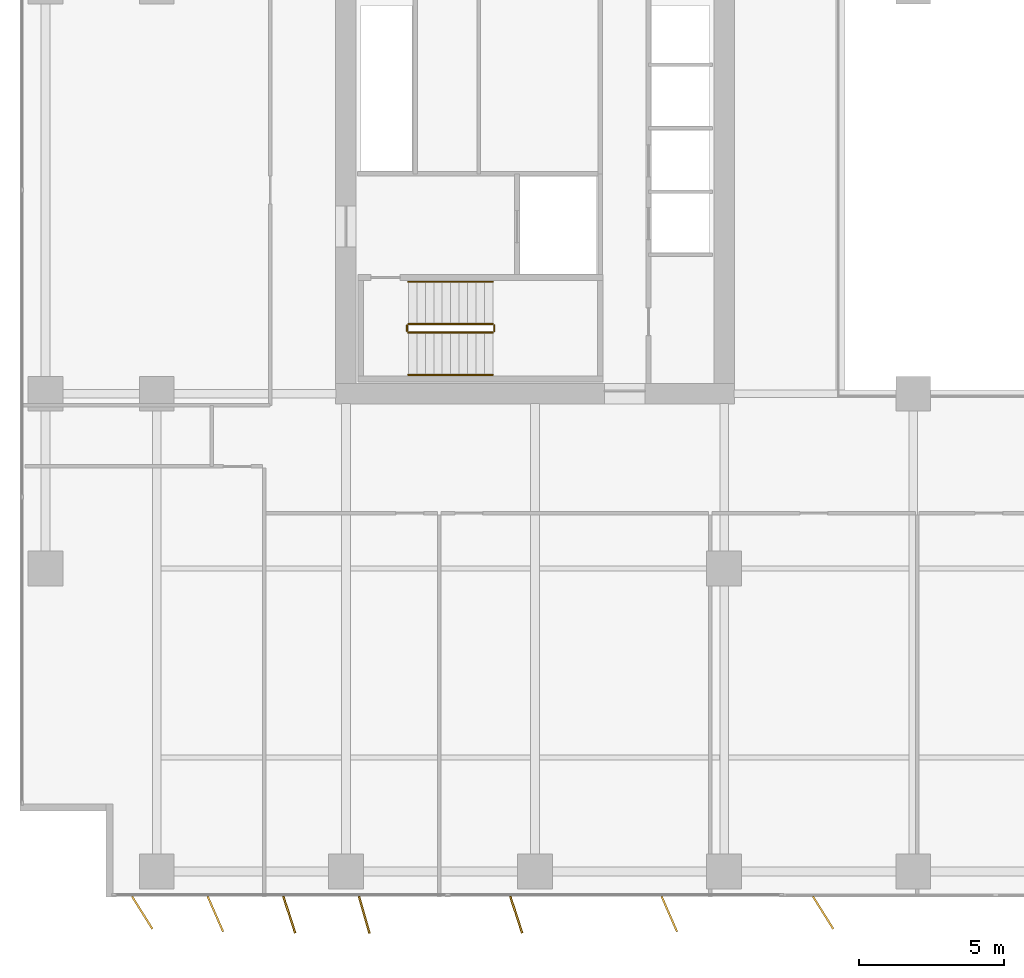
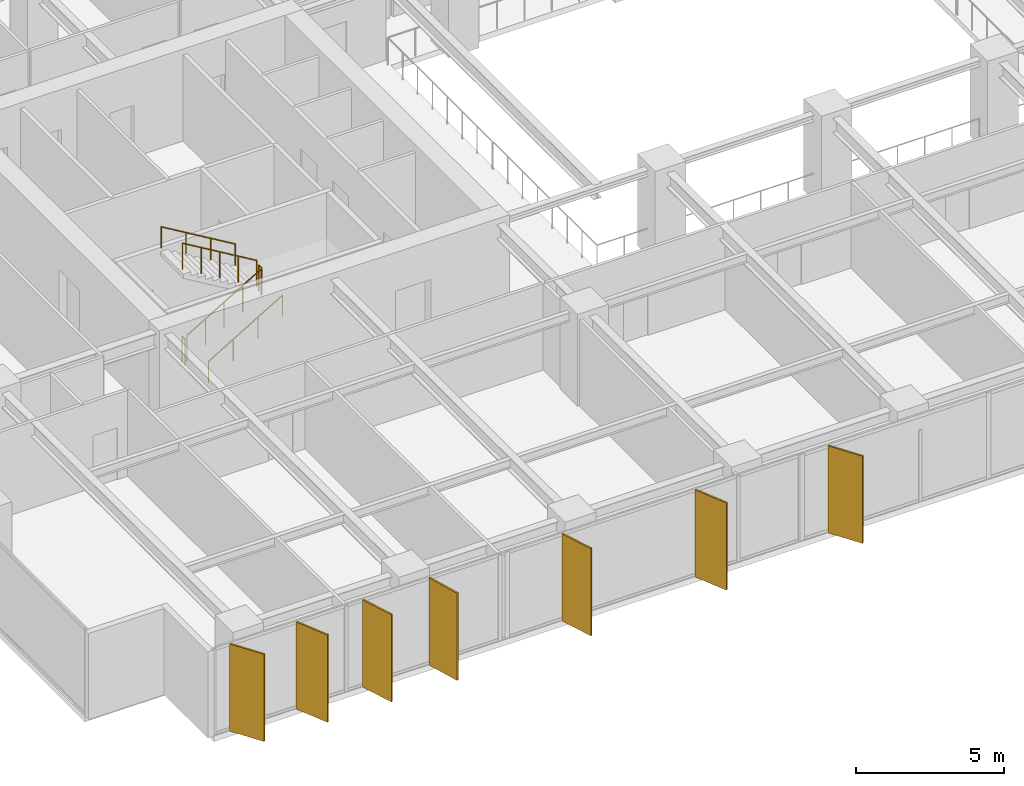
# One storey, part 17 of 20: 7 shading devices, 6 railings.
"""IFC4 building model written with IfcOpenShell, lengths in metres."""

from ifc_helpers import new_model, si_unit, direction, frame, origin, origin_2d, place, context, subcontext, project, spatial, rectangle, circle, extrude, material, layer, layer_set, type_object, element, save


model = new_model("IFC4")

# Units and contexts
model_context = context("Model", 3, precision=1e-05, world=origin(), true_north=direction((0.0, 1.0)))
body_context = subcontext(model_context, "Body", "Model", "MODEL_VIEW")
ifc_project = project(units=[si_unit("LENGTHUNIT", "METRE"), si_unit("AREAUNIT", "SQUARE_METRE"), si_unit("VOLUMEUNIT", "CUBIC_METRE"), si_unit("PLANEANGLEUNIT", "RADIAN"), si_unit("MASSUNIT", "GRAM", prefix="KILO")], contexts=[model_context])

# Site, building, storey
site_placement = place(None, origin())
site = spatial("IfcSite", under=ifc_project, at=site_placement, CompositionType="ELEMENT")
building_placement = place(site_placement, origin())
building = spatial("IfcBuilding", under=site, at=building_placement, Name="Putna Gate Headquarters", CompositionType="ELEMENT")
storey_placement = place(building_placement, frame((0.0, 0.0, 131.60009765625)))
storey = spatial("IfcBuildingStorey", under=building, at=storey_placement, Name="L32", CompositionType="ELEMENT", Elevation=131.60009765625)

# Railings
ifc_material_1 = material(Name="Powder-coated steel stair guardrail", Category="steel")
railing_type_1 = type_object("IfcRailingType", Name="RAIL-STAIR-GUARD-1100", PredefinedType="GUARDRAIL", material=ifc_material_1)
railing_1_placement = place(storey_placement, frame((15.14990234375, 21.10009765625, 0.172607421875)))
element("IfcRailing", 1, at=railing_1_placement, inside=storey, type_object=railing_type_1, Name="L32 ST1 stair guard 1", PredefinedType="GUARDRAIL", context=body_context, shape_type="SweptSolid", body=[
    extrude(circle(Radius=0.02392578125, at=origin_2d()), frame((0.0, 0.0, 1.076171875), z_axis=(0.859160404282, 0.0, 0.51170636083), x_axis=(0.0, 1.0, 0.0)), (0.0, 0.0, 1.0), 3.37548828125),
    extrude(circle(Radius=0.02099609375, at=origin_2d()), origin(), (0.0, 0.0, 1.0), 1.052001953125),
    extrude(circle(Radius=0.02099609375, at=origin_2d()), frame((0.72509765625, 0.0, 0.431884765625)), (0.0, 0.0, 1.0), 1.052001953125),
    extrude(circle(Radius=0.02099609375, at=origin_2d()), frame((1.4501953125, 0.0, 0.86376953125)), (0.0, 0.0, 1.0), 1.052001953125),
    extrude(circle(Radius=0.02099609375, at=origin_2d()), frame((2.175048828125, 0.0, 1.29541015625)), (0.0, 0.0, 1.0), 1.052001953125),
    extrude(circle(Radius=0.02099609375, at=origin_2d()), frame((2.900146484375, 0.0, 1.727294921875)), (0.0, 0.0, 1.0), 1.052001953125),
])
railing_2_placement = place(storey_placement, frame((18.10009765625, 21.14990234375, 1.89990234375)))
element("IfcRailing", 2, at=railing_2_placement, inside=storey, type_object=railing_type_1, Name="L32 ST1 stair guard 2", PredefinedType="GUARDRAIL", context=body_context, shape_type="SweptSolid", body=[
    extrude(circle(Radius=0.02392578125, at=origin_2d()), frame((0.0, 0.0, 1.076171875), z_axis=(0.0, 1.0, 0.0), x_axis=(-1.0, 0.0, 0.0)), (0.0, 0.0, 1.0), 0.2001953125),
    extrude(circle(Radius=0.02099609375, at=origin_2d()), origin(), (0.0, 0.0, 1.0), 1.052001953125),
    extrude(circle(Radius=0.02099609375, at=origin_2d()), frame((0.0, 0.2001953125, 0.0)), (0.0, 0.0, 1.0), 1.052001953125),
])
railing_3_placement = place(storey_placement, frame((18.050048828125, 21.39990234375, 2.072509765625)))
element("IfcRailing", 3, at=railing_3_placement, inside=storey, type_object=railing_type_1, Name="L32 ST1 stair guard 3", PredefinedType="GUARDRAIL", context=body_context, shape_type="SweptSolid", body=[
    extrude(circle(Radius=0.02392578125, at=origin_2d()), frame((0.0, 0.0, 1.076171875), z_axis=(-0.859160404282, 0.0, 0.51170636083), x_axis=(0.0, -1.0, 0.0)), (0.0, 0.0, 1.0), 3.37548828125),
    extrude(circle(Radius=0.02099609375, at=origin_2d()), origin(), (0.0, 0.0, 1.0), 1.052001953125),
    extrude(circle(Radius=0.02099609375, at=origin_2d()), frame((-0.72509765625, 0.0, 0.431884765625)), (0.0, 0.0, 1.0), 1.052001953125),
    extrude(circle(Radius=0.02099609375, at=origin_2d()), frame((-1.4501953125, 0.0, 0.86376953125)), (0.0, 0.0, 1.0), 1.052001953125),
    extrude(circle(Radius=0.02099609375, at=origin_2d()), frame((-2.175048828125, 0.0, 1.29541015625)), (0.0, 0.0, 1.0), 1.052001953125),
    extrude(circle(Radius=0.02099609375, at=origin_2d()), frame((-2.900146484375, 0.0, 1.727294921875)), (0.0, 0.0, 1.0), 1.052001953125),
])
railing_4_placement = place(storey_placement, frame((15.10009765625, 21.14990234375, 0.0)))
element("IfcRailing", 4, at=railing_4_placement, inside=storey, type_object=railing_type_1, Name="L32 ST1 stair guard 4", PredefinedType="GUARDRAIL", context=body_context, shape_type="SweptSolid", body=[
    extrude(circle(Radius=0.02392578125, at=origin_2d()), frame((0.0, 0.0, 1.076171875), z_axis=(0.0, 1.0, 0.0), x_axis=(-1.0, 0.0, 0.0)), (0.0, 0.0, 1.0), 0.2001953125),
    extrude(circle(Radius=0.02099609375, at=origin_2d()), origin(), (0.0, 0.0, 1.0), 1.052001953125),
    extrude(circle(Radius=0.02099609375, at=origin_2d()), frame((0.0, 0.2001953125, 0.0)), (0.0, 0.0, 1.0), 1.052001953125),
])
ifc_material_2 = material(Name="Brushed stainless steel handrail", Category="steel")
railing_type_2 = type_object("IfcRailingType", Name="RAIL-STAIR-HAND-900", PredefinedType="HANDRAIL", material=ifc_material_2)
railing_5_placement = place(storey_placement, frame((15.14990234375, 19.64990234375, 0.172607421875)))
element("IfcRailing", 5, at=railing_5_placement, inside=storey, type_object=railing_type_2, Name="L32 ST1 stair handrail 1", PredefinedType="HANDRAIL", context=body_context, shape_type="SweptSolid", body=[
    extrude(circle(Radius=0.02392578125, at=origin_2d()), frame((0.0, 0.0, 0.8759765625), z_axis=(0.859160404282, 0.0, 0.51170636083), x_axis=(0.0, 1.0, 0.0)), (0.0, 0.0, 1.0), 3.37548828125),
    extrude(circle(Radius=0.02099609375, at=origin_2d()), origin(), (0.0, 0.0, 1.0), 0.851806640625),
    extrude(circle(Radius=0.02099609375, at=origin_2d()), frame((0.966796875, 0.0, 0.57568359375)), (0.0, 0.0, 1.0), 0.851806640625),
    extrude(circle(Radius=0.02099609375, at=origin_2d()), frame((1.933349609375, 0.0, 1.151611328125)), (0.0, 0.0, 1.0), 0.851806640625),
    extrude(circle(Radius=0.02099609375, at=origin_2d()), frame((2.900146484375, 0.0, 1.727294921875)), (0.0, 0.0, 1.0), 0.851806640625),
])
railing_6_placement = place(storey_placement, frame((18.050048828125, 22.85009765625, 2.072509765625)))
element("IfcRailing", 6, at=railing_6_placement, inside=storey, type_object=railing_type_2, Name="L32 ST1 stair handrail 2", PredefinedType="HANDRAIL", context=body_context, shape_type="SweptSolid", body=[
    extrude(circle(Radius=0.02392578125, at=origin_2d()), frame((0.0, 0.0, 0.8759765625), z_axis=(-0.859160404282, 0.0, 0.51170636083), x_axis=(0.0, -1.0, 0.0)), (0.0, 0.0, 1.0), 3.37548828125),
    extrude(circle(Radius=0.02099609375, at=origin_2d()), origin(), (0.0, 0.0, 1.0), 0.851806640625),
    extrude(circle(Radius=0.02099609375, at=origin_2d()), frame((-0.966796875, 0.0, 0.57568359375)), (0.0, 0.0, 1.0), 0.851806640625),
    extrude(circle(Radius=0.02099609375, at=origin_2d()), frame((-1.933349609375, 0.0, 1.151611328125)), (0.0, 0.0, 1.0), 0.851806640625),
    extrude(circle(Radius=0.02099609375, at=origin_2d()), frame((-2.900146484375, 0.0, 1.727294921875)), (0.0, 0.0, 1.0), 0.851806640625),
])

# Shading devices
ifc_material_3 = material(Name="Anodised architectural bronze aluminium fin", Category="aluminium")
ifc_layer = layer(ifc_material_3, 0.06494140625)
ifc_layer_set = layer_set([ifc_layer], Name="Anodised architectural bronze aluminium fin")
shading_device_type = type_object("IfcShadingDeviceType", Name="SHADE-BRONZE-FIN-1320", PredefinedType="USERDEFINED", material=ifc_layer_set)
for number, where, z_axis, x_axis, name in (
    (7, (6.000244140625, 1.16552734375, -0.02001953125), (0.0, 0.0, 1.0), (0.530659123936, -0.847585331506, 0.0), "L32 Bronze Vertical Shading Fin S1"),
    (8, (8.514404296875, 1.120361328125, -0.02001953125), (0.0, 0.0, 1.0), (0.400668879095, -0.916222925562, 0.0), "L32 Bronze Vertical Shading Fin S2"),
    (9, (11.0537109375, 1.09716796875, -0.02001953125), (0.0, 0.0, 1.0), (0.308684994204, -0.951164325631, 0.0), "L32 Bronze Vertical Shading Fin S3"),
    (10, (13.6318359375, 1.090576171875, -0.02001953125), (0.0, 0.0, 1.0), (0.275637355817, -0.961261695938, 0.0), "L32 Bronze Vertical Shading Fin S4"),
    (11, (18.853759765625, 1.09716796875, -0.02001953125), (0.0, 0.0, 1.0), (0.308684994204, -0.951164325631, 0.0), "L32 Bronze Vertical Shading Fin S5"),
    (12, (24.114501953125, 1.120361328125, -0.02001953125), (0.0, 0.0, 1.0), (0.400668879095, -0.916222925562, 0.0), "L32 Bronze Vertical Shading Fin S6"),
    (13, (29.400146484375, 1.16552734375, -0.02001953125), (0.0, 0.0, 1.0), (0.530659123936, -0.847585331506, 0.0), "L32 Bronze Vertical Shading Fin S7"),
):
    element("IfcShadingDevice", number, at=place(storey_placement, frame(where, z_axis=z_axis, x_axis=x_axis)), inside=storey, type_object=shading_device_type, Name=name, ObjectType="FIN", PredefinedType="USERDEFINED", context=body_context, shape_type="SweptSolid", body=[
        extrude(rectangle(XDim=1.320068359375, YDim=0.06494140625, at=origin_2d()), origin(), (0.0, 0.0, 1.0), 3.60498046875),
    ])

save(model, "model.ifc")
